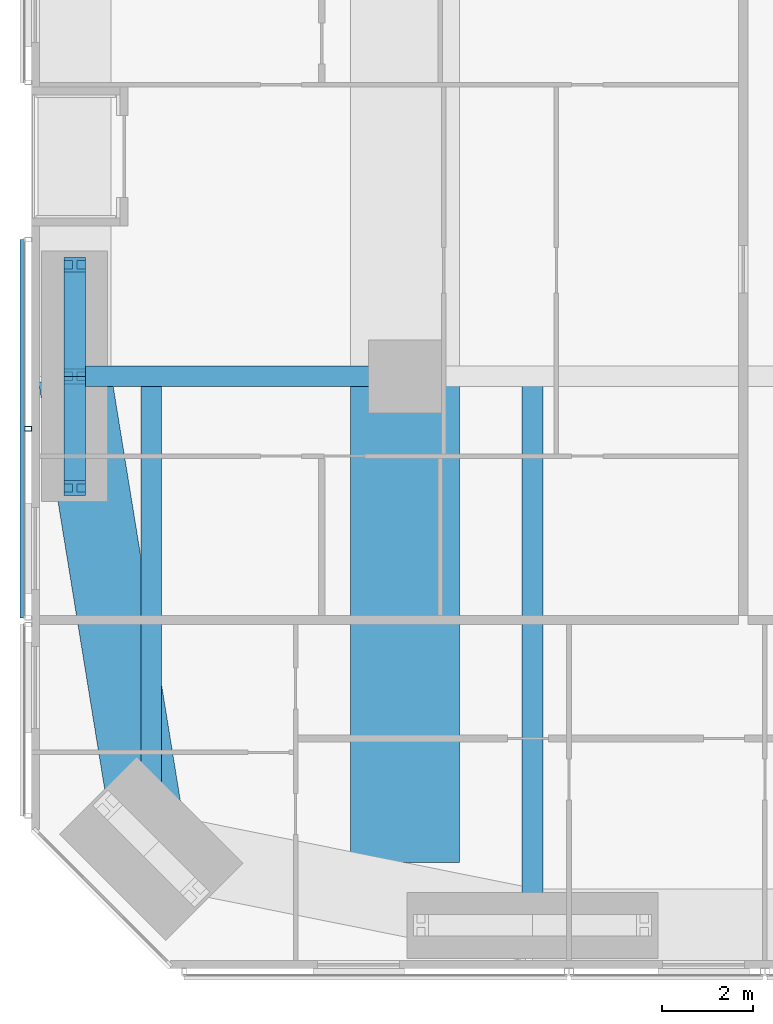
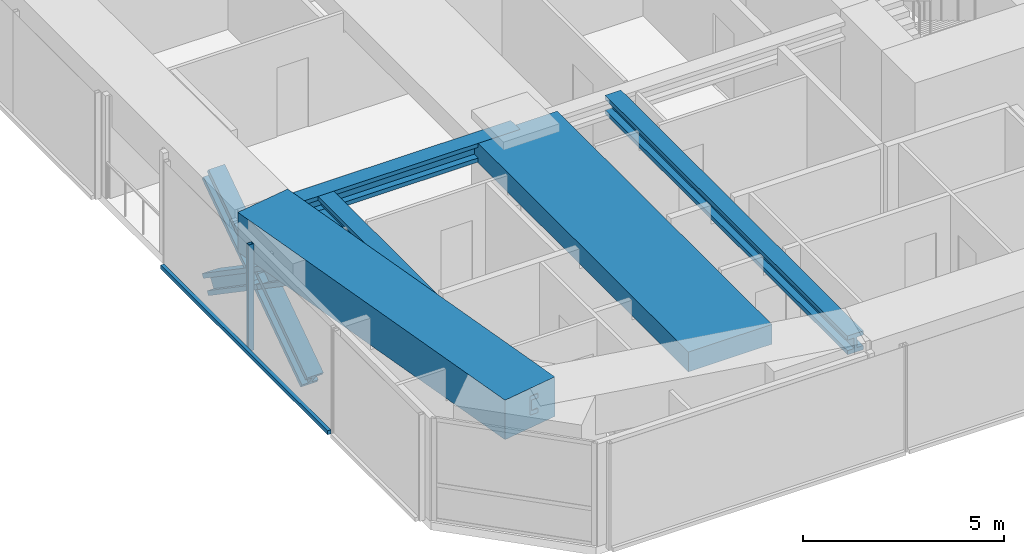
# One storey, part 3 of 24: 6 members, 5 beams, 1 element without a shape of its own.
"""IFC4 building model written with IfcOpenShell, lengths in metres."""

from ifc_helpers import new_model, si_unit, direction, frame, origin, origin_2d, place, context, subcontext, project, spatial, rectangle, hollow_rectangle, i_section, extrude, material, material_profile, profile_set, type_object, element, aggregate, save


model = new_model("IFC4")

# Units and contexts
model_context = context("Model", 3, precision=1e-05, world=origin(), true_north=direction((0.0, 1.0)))
body_context = subcontext(model_context, "Body", "Model", "MODEL_VIEW")
ifc_project = project(units=[si_unit("LENGTHUNIT", "METRE"), si_unit("AREAUNIT", "SQUARE_METRE"), si_unit("VOLUMEUNIT", "CUBIC_METRE"), si_unit("PLANEANGLEUNIT", "RADIAN"), si_unit("MASSUNIT", "GRAM", prefix="KILO")], contexts=[model_context])

# Site, building, storey
site_placement = place(None, origin())
site = spatial("IfcSite", under=ifc_project, at=site_placement, CompositionType="ELEMENT")
building_placement = place(site_placement, origin())
building = spatial("IfcBuilding", under=site, at=building_placement, Name="Jalousie Tower", CompositionType="ELEMENT")
storey_placement = place(building_placement, frame((0.0, 0.0, 57.85009765625)))
storey = spatial("IfcBuildingStorey", under=building, at=storey_placement, Name="L15", CompositionType="ELEMENT", Elevation=57.85009765625)

# Beams
ifc_material_1 = material(Name="Steel ASTM A992 Grade 50", Category="steel")
ifc_material_profile_1 = material_profile(ifc_material_1, i_section(OverallWidth=0.45458984375, OverallDepth=0.569091796875, WebThickness=0.077880859375, FlangeThickness=0.124755859375, at=origin_2d()), Name="W14X730")
ifc_profile_set_1 = profile_set([ifc_material_profile_1], Name="Steel ASTM A992 Grade 50")
beam_type_1 = type_object("IfcBeamType", Name="LEAN COLLECTOR W14X730", PredefinedType="BEAM", material=ifc_profile_set_1)
beam_1_placement = place(storey_placement, frame((2.949951171875, 13.0, 2.825439453125), z_axis=(1.0, 0.0, 0.0), x_axis=(0.0, 1.0, 0.0)))
element("IfcBeam", 1, at=beam_1_placement, inside=storey, type_object=beam_type_1, Name="Lean collector under L16", PredefinedType="BEAM", context=body_context, shape_type="SweptSolid", body=[
    extrude(i_section(OverallWidth=0.45458984375, OverallDepth=0.569091796875, WebThickness=0.077880859375, FlangeThickness=0.124755859375, at=origin_2d()), origin(), (0.0, 0.0, 1.0), 7.25),
])
beam_2_placement = place(storey_placement, frame((4.63134765625, 2.63134765625, 2.825439453125), z_axis=(0.0, 1.0, 0.0), x_axis=(-1.0, 0.0, 0.0)))
element("IfcBeam", 2, at=beam_2_placement, inside=storey, type_object=beam_type_1, Name="Lean collector under L16", PredefinedType="BEAM", context=body_context, shape_type="SweptSolid", body=[
    extrude(i_section(OverallWidth=0.45458984375, OverallDepth=0.569091796875, WebThickness=0.077880859375, FlangeThickness=0.124755859375, at=origin_2d()), origin(), (0.0, 0.0, 1.0), 10.36865234375),
])
beam_3_placement = place(storey_placement, frame((13.0, 0.949951171875, 2.825439453125), z_axis=(0.0, 1.0, 0.0), x_axis=(-1.0, 0.0, 0.0)))
element("IfcBeam", 3, at=beam_3_placement, inside=storey, type_object=beam_type_1, Name="Lean collector under L16", PredefinedType="BEAM", context=body_context, shape_type="SweptSolid", body=[
    extrude(i_section(OverallWidth=0.45458984375, OverallDepth=0.569091796875, WebThickness=0.077880859375, FlangeThickness=0.124755859375, at=origin_2d()), origin(), (0.0, 0.0, 1.0), 12.050048828125),
])

# Members
ifc_material_2 = material(Name="Steel ASTM A992 Grade 50", Category="steel")
ifc_material_profile_2 = material_profile(ifc_material_2, i_section(OverallWidth=0.472412109375, OverallDepth=0.5791015625, WebThickness=0.094970703125, FlangeThickness=0.1298828125, at=origin_2d()), Name="W14X808")
ifc_profile_set_2 = profile_set([ifc_material_profile_2], Name="Steel ASTM A992 Grade 50")
member_type_1 = type_object("IfcMemberType", Name="PERIMETER BRACE W14X808", PredefinedType="BRACE", material=ifc_profile_set_2)
for number, where, z_axis, x_axis, name in (
    (4, (2.949951171875, 10.550048828125, -0.60009765625), (0.0, 0.825500916831, 0.564400776321), (-1.0, 0.0, 0.0), "Perimeter brace 14 L15 part 1"),
    (5, (2.949951171875, 13.0, 1.074951171875), (0.0, 0.825500916831, 0.564400776321), (-1.0, 0.0, 0.0), "Perimeter brace 14 L15 part 2"),
    (6, (2.949951171875, 15.449951171875, -0.60009765625), (0.0, -0.825500916831, 0.564400776321), (1.0, 0.0, 0.0), "Perimeter brace 14 L15 part 3"),
    (7, (2.949951171875, 13.0, 1.074951171875), (0.0, -0.825500916831, 0.564400776321), (1.0, 0.0, 0.0), "Perimeter brace 14 L15 part 4"),
):
    element("IfcMember", number, at=place(storey_placement, frame(where, z_axis=z_axis, x_axis=x_axis)), inside=storey, type_object=member_type_1, Name=name, PredefinedType="BRACE", context=body_context, shape_type="SweptSolid", body=[
        extrude(i_section(OverallWidth=0.472412109375, OverallDepth=0.5791015625, WebThickness=0.094970703125, FlangeThickness=0.1298828125, at=origin_2d()), origin(), (0.0, 0.0, 1.0), 2.9677734375),
    ])

# Beams
ifc_material_3 = material(Name="Concrete f'c 40 MPa", Category="concrete")
ifc_material_profile_3 = material_profile(ifc_material_3, rectangle(XDim=1.60009765625, YDim=1.199951171875, at=origin_2d()), Name="RC 1600x1200")
ifc_profile_set_3 = profile_set([ifc_material_profile_3], Name="Concrete f'c 40 MPa")
beam_type_2 = type_object("IfcBeamType", Name="RC BEAM 1600x1200", PredefinedType="BEAM", material=ifc_profile_set_3)
beam_4_placement = place(storey_placement, frame((2.949951171875, 13.0, 2.75), z_axis=(0.160070546476, -0.987105577003, 0.0), x_axis=(0.987105577003, 0.160070546476, 0.0)))
element("IfcBeam", 8, at=beam_4_placement, inside=storey, type_object=beam_type_2, Name="Edge band beam 14-01 under L16", PredefinedType="BEAM", context=body_context, shape_type="SweptSolid", body=[
    extrude(rectangle(XDim=1.60009765625, YDim=1.199951171875, at=origin_2d()), origin(), (0.0, 0.0, 1.0), 10.504150390625),
])
ifc_material_4 = material(Name="Concrete f'c 40 MPa", Category="concrete")
ifc_material_profile_4 = material_profile(ifc_material_4, rectangle(XDim=2.39990234375, YDim=0.60009765625, at=origin_2d()), Name="RC 2400x600")
ifc_profile_set_4 = profile_set([ifc_material_profile_4], Name="Concrete f'c 40 MPa")
beam_type_3 = type_object("IfcBeamType", Name="RC BEAM 2400x600", PredefinedType="BEAM", material=ifc_profile_set_4)
beam_5_placement = place(storey_placement, frame((10.199951171875, 13.0, 2.809814453125), z_axis=(0.0, -1.0, 0.0), x_axis=(1.0, 0.0, 0.0)))
element("IfcBeam", 9, at=beam_5_placement, inside=storey, type_object=beam_type_3, Name="Floor band beam under L16", PredefinedType="BEAM", context=body_context, shape_type="SweptSolid", body=[
    extrude(rectangle(XDim=2.39990234375, YDim=0.60009765625, at=origin_2d()), origin(), (0.0, 0.0, 1.0), 10.67138671875),
])

# Curtain wall, members
ifc_material_5 = material(Name="Perforated aluminium sheet", Category="aluminium")
curtain_wall_type = type_object("IfcCurtainWallType", Name="SOLAR SCREEN SS-1", PredefinedType="USERDEFINED", material=ifc_material_5)
curtain_wall_placement = place(storey_placement, origin())
curtain_wall = element("IfcCurtainWall", 10, at=curtain_wall_placement, inside=storey, type_object=curtain_wall_type, Name="Solar screen L15", ObjectType="SOLAR SCREEN SS-1", PredefinedType="USERDEFINED")
ifc_material_6 = material(Name="Steel ASTM A500 Grade C", Category="steel")
ifc_material_profile_5 = material_profile(ifc_material_6, hollow_rectangle(XDim=0.1015625, YDim=0.15234375, WallThickness=0.00634765625, at=origin_2d()), Name="HSS6X4X1/4")
ifc_profile_set_5 = profile_set([ifc_material_profile_5], Name="Steel ASTM A500 Grade C")
member_type_2 = type_object("IfcMemberType", Name="SOLAR SCREEN SS-1 MULLION", PredefinedType="MULLION", material=ifc_profile_set_5)
member_1_placement = place(storey_placement, frame((1.9287109375, 11.85009765625, -0.1201171875), z_axis=(0.0, 0.0, 1.0), x_axis=(0.0, -1.0, 0.0)))
member_1 = element("IfcMember", 11, at=member_1_placement, type_object=member_type_2, Name="SS1 post 2", PredefinedType="MULLION", context=body_context, shape_type="SweptSolid", body=[
    extrude(hollow_rectangle(XDim=0.1015625, YDim=0.15234375, WallThickness=0.00634765625, at=origin_2d()), origin(), (0.0, 0.0, 1.0), 3.22998046875),
])
ifc_material_7 = material(Name="Extruded aluminium screen rail", Category="aluminium")
ifc_material_profile_6 = material_profile(ifc_material_7, rectangle(XDim=0.1015625, YDim=0.1201171875, at=origin_2d()), Name="RAIL 102x120")
ifc_profile_set_6 = profile_set([ifc_material_profile_6], Name="Extruded aluminium screen rail")
member_type_3 = type_object("IfcMemberType", Name="SOLAR SCREEN SS-1 TRANSOM", PredefinedType="USERDEFINED", material=ifc_profile_set_6)
member_2_placement = place(storey_placement, frame((1.8017578125, 16.0, -0.06005859375), z_axis=(0.0, -1.0, 0.0), x_axis=(1.0, 0.0, 0.0)))
member_2 = element("IfcMember", 12, at=member_2_placement, type_object=member_type_3, Name="SS1 rail", ObjectType="TRANSOM", PredefinedType="USERDEFINED", context=body_context, shape_type="SweptSolid", body=[
    extrude(rectangle(XDim=0.1015625, YDim=0.1201171875, at=origin_2d()), origin(), (0.0, 0.0, 1.0), 8.300048828125),
])
aggregate(curtain_wall, [member_1, member_2])

save(model, "model.ifc")
